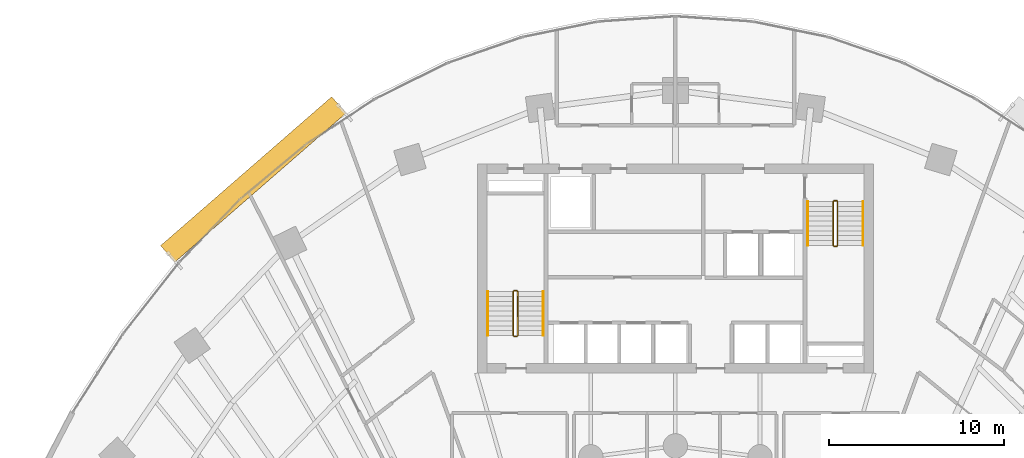
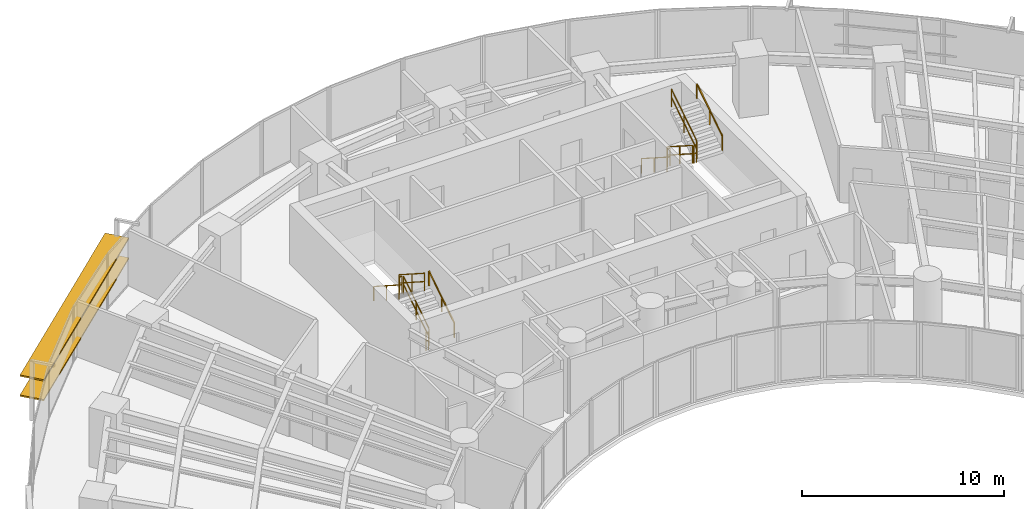
# One storey, part 16 of 17: 12 railings, 2 shading devices.
"""IFC4 building model written with IfcOpenShell, lengths in metres."""

from ifc_helpers import new_model, si_unit, direction, frame, origin, origin_2d, place, context, subcontext, project, spatial, rectangle, extrude, source, transform, mapped, material, material_profile, profile_set, type_object, type_shapes, element, save


model = new_model("IFC4")

# Units and contexts
model_context = context("Model", 3, precision=1e-05, world=origin(), true_north=direction((0.0, 1.0)))
body_context = subcontext(model_context, "Body", "Model", "MODEL_VIEW")
ifc_project = project(units=[si_unit("LENGTHUNIT", "METRE"), si_unit("AREAUNIT", "SQUARE_METRE"), si_unit("VOLUMEUNIT", "CUBIC_METRE"), si_unit("PLANEANGLEUNIT", "RADIAN"), si_unit("MASSUNIT", "GRAM", prefix="KILO")], contexts=[model_context])

# Site, building, storey
site_placement = place(None, origin())
site = spatial("IfcSite", under=ifc_project, at=site_placement, CompositionType="ELEMENT")
building_placement = place(site_placement, origin())
building = spatial("IfcBuilding", under=site, at=building_placement, Name="Breltana Convention Tower", CompositionType="ELEMENT")
storey_placement = place(building_placement, frame((0.0, 0.0, 64.199951171875)))
storey = spatial("IfcBuildingStorey", under=building, at=storey_placement, Name="L14", CompositionType="ELEMENT", Elevation=64.199951171875)

# Railings
ifc_material_1 = material(Name="Steel S275 Painted", Category="steel")
railing_type_1 = type_object("IfcRailingType", Name="RL-STAIR-GUARD-1100", PredefinedType="GUARDRAIL", material=ifc_material_1)
railing_1_placement = place(storey_placement, frame((38.9599609375, 62.360107421875, 0.179931640625)))
element("IfcRailing", 1, at=railing_1_placement, inside=storey, type_object=railing_type_1, Name="L14 ST-1 stair guard 1", PredefinedType="GUARDRAIL", context=body_context, shape_type="SweptSolid", body=[
    extrude(rectangle(XDim=0.048095703125, YDim=0.048095703125, at=origin_2d()), frame((0.0, 0.0, 1.076171875), z_axis=(0.0, 0.841138753965, 0.540819375188), x_axis=(-1.0, 0.0, 0.0)), (0.0, 0.0, 1.0), 2.99560546875),
    extrude(rectangle(XDim=0.048095703125, YDim=0.048095703125, at=origin_2d()), frame((0.0, 0.0, 0.572021484375), z_axis=(0.0, 0.841138753965, 0.540819375188), x_axis=(-1.0, 0.0, 0.0)), (0.0, 0.0, 1.0), 2.99560546875),
    extrude(rectangle(XDim=0.0419921875, YDim=0.0419921875, at=origin_2d()), origin(), (0.0, 0.0, 1.0), 1.052001953125),
    extrude(rectangle(XDim=0.0419921875, YDim=0.0419921875, at=origin_2d()), frame((0.0, 1.259765625, 0.81005859375)), (0.0, 0.0, 1.0), 1.052001953125),
    extrude(rectangle(XDim=0.0419921875, YDim=0.0419921875, at=origin_2d()), frame((0.0, 2.519775390625, 1.6201171875)), (0.0, 0.0, 1.0), 1.052001953125),
])
railing_2_placement = place(storey_placement, frame((38.909912109375, 64.929931640625, 1.800048828125)))
element("IfcRailing", 2, at=railing_2_placement, inside=storey, type_object=railing_type_1, Name="L14 ST-1 stair guard 2", PredefinedType="GUARDRAIL", context=body_context, shape_type="SweptSolid", body=[
    extrude(rectangle(XDim=0.048095703125, YDim=0.048095703125, at=origin_2d()), frame((0.0, 0.0, 1.076171875), z_axis=(-1.0, 0.0, 0.0), x_axis=(0.0, -1.0, 0.0)), (0.0, 0.0, 1.0), 0.14990234375),
    extrude(rectangle(XDim=0.048095703125, YDim=0.048095703125, at=origin_2d()), frame((0.0, 0.0, 0.572021484375), z_axis=(-1.0, 0.0, 0.0), x_axis=(0.0, -1.0, 0.0)), (0.0, 0.0, 1.0), 0.14990234375),
    extrude(rectangle(XDim=0.0419921875, YDim=0.0419921875, at=origin_2d()), origin(), (0.0, 0.0, 1.0), 1.052001953125),
    extrude(rectangle(XDim=0.0419921875, YDim=0.0419921875, at=origin_2d()), frame((-0.14990234375, 0.0, 0.0)), (0.0, 0.0, 1.0), 1.052001953125),
])
railing_3_placement = place(storey_placement, frame((38.7099609375, 64.8798828125, 1.97998046875)))
element("IfcRailing", 3, at=railing_3_placement, inside=storey, type_object=railing_type_1, Name="L14 ST-1 stair guard 3", PredefinedType="GUARDRAIL", context=body_context, shape_type="SweptSolid", body=[
    extrude(rectangle(XDim=0.048095703125, YDim=0.048095703125, at=origin_2d()), frame((0.0, 0.0, 1.076171875), z_axis=(0.0, -0.841138753965, 0.540819375188), x_axis=(1.0, 0.0, 0.0)), (0.0, 0.0, 1.0), 2.99560546875),
    extrude(rectangle(XDim=0.048095703125, YDim=0.048095703125, at=origin_2d()), frame((0.0, 0.0, 0.572021484375), z_axis=(0.0, -0.841138753965, 0.540819375188), x_axis=(1.0, 0.0, 0.0)), (0.0, 0.0, 1.0), 2.99560546875),
    extrude(rectangle(XDim=0.0419921875, YDim=0.0419921875, at=origin_2d()), origin(), (0.0, 0.0, 1.0), 1.052001953125),
    extrude(rectangle(XDim=0.0419921875, YDim=0.0419921875, at=origin_2d()), frame((0.0, -1.259765625, 0.81005859375)), (0.0, 0.0, 1.0), 1.052001953125),
    extrude(rectangle(XDim=0.0419921875, YDim=0.0419921875, at=origin_2d()), frame((0.0, -2.519775390625, 1.6201171875)), (0.0, 0.0, 1.0), 1.052001953125),
])
railing_4_placement = place(storey_placement, frame((38.909912109375, 62.31005859375, 0.0)))
element("IfcRailing", 4, at=railing_4_placement, inside=storey, type_object=railing_type_1, Name="L14 ST-1 stair guard 4", PredefinedType="GUARDRAIL", context=body_context, shape_type="SweptSolid", body=[
    extrude(rectangle(XDim=0.048095703125, YDim=0.048095703125, at=origin_2d()), frame((0.0, 0.0, 1.076171875), z_axis=(-1.0, 0.0, 0.0), x_axis=(0.0, -1.0, 0.0)), (0.0, 0.0, 1.0), 0.14990234375),
    extrude(rectangle(XDim=0.048095703125, YDim=0.048095703125, at=origin_2d()), frame((0.0, 0.0, 0.572021484375), z_axis=(-1.0, 0.0, 0.0), x_axis=(0.0, -1.0, 0.0)), (0.0, 0.0, 1.0), 0.14990234375),
    extrude(rectangle(XDim=0.0419921875, YDim=0.0419921875, at=origin_2d()), origin(), (0.0, 0.0, 1.0), 1.052001953125),
    extrude(rectangle(XDim=0.0419921875, YDim=0.0419921875, at=origin_2d()), frame((-0.14990234375, 0.0, 0.0)), (0.0, 0.0, 1.0), 1.052001953125),
])
railing_5_placement = place(storey_placement, frame((57.0400390625, 70.0400390625, 0.179931640625)))
element("IfcRailing", 5, at=railing_5_placement, inside=storey, type_object=railing_type_1, Name="L14 ST-2 stair guard 1", PredefinedType="GUARDRAIL", context=body_context, shape_type="SweptSolid", body=[
    extrude(rectangle(XDim=0.048095703125, YDim=0.048095703125, at=origin_2d()), frame((0.0, 0.0, 1.076171875), z_axis=(0.0, -0.841162588446, 0.540782303519), x_axis=(1.0, 0.0, 0.0)), (0.0, 0.0, 1.0), 2.995849609375),
    extrude(rectangle(XDim=0.048095703125, YDim=0.048095703125, at=origin_2d()), frame((0.0, 0.0, 0.572021484375), z_axis=(0.0, -0.841162588446, 0.540782303519), x_axis=(1.0, 0.0, 0.0)), (0.0, 0.0, 1.0), 2.995849609375),
    extrude(rectangle(XDim=0.0419921875, YDim=0.0419921875, at=origin_2d()), origin(), (0.0, 0.0, 1.0), 1.052001953125),
    extrude(rectangle(XDim=0.0419921875, YDim=0.0419921875, at=origin_2d()), frame((0.0, -1.260009765625, 0.81005859375)), (0.0, 0.0, 1.0), 1.052001953125),
    extrude(rectangle(XDim=0.0419921875, YDim=0.0419921875, at=origin_2d()), frame((0.0, -2.52001953125, 1.6201171875)), (0.0, 0.0, 1.0), 1.052001953125),
])
railing_6_placement = place(storey_placement, frame((57.090087890625, 67.469970703125, 1.800048828125)))
element("IfcRailing", 6, at=railing_6_placement, inside=storey, type_object=railing_type_1, Name="L14 ST-2 stair guard 2", PredefinedType="GUARDRAIL", context=body_context, shape_type="SweptSolid", body=[
    extrude(rectangle(XDim=0.048095703125, YDim=0.048095703125, at=origin_2d()), frame((0.0, 0.0, 1.076171875), z_axis=(1.0, 0.0, 0.0), x_axis=(0.0, 1.0, 0.0)), (0.0, 0.0, 1.0), 0.14990234375),
    extrude(rectangle(XDim=0.048095703125, YDim=0.048095703125, at=origin_2d()), frame((0.0, 0.0, 0.572021484375), z_axis=(1.0, 0.0, 0.0), x_axis=(0.0, 1.0, 0.0)), (0.0, 0.0, 1.0), 0.14990234375),
    extrude(rectangle(XDim=0.0419921875, YDim=0.0419921875, at=origin_2d()), origin(), (0.0, 0.0, 1.0), 1.052001953125),
    extrude(rectangle(XDim=0.0419921875, YDim=0.0419921875, at=origin_2d()), frame((0.14990234375, 0.0, 0.0)), (0.0, 0.0, 1.0), 1.052001953125),
])
railing_7_placement = place(storey_placement, frame((57.2900390625, 67.52001953125, 1.97998046875)))
element("IfcRailing", 7, at=railing_7_placement, inside=storey, type_object=railing_type_1, Name="L14 ST-2 stair guard 3", PredefinedType="GUARDRAIL", context=body_context, shape_type="SweptSolid", body=[
    extrude(rectangle(XDim=0.048095703125, YDim=0.048095703125, at=origin_2d()), frame((0.0, 0.0, 1.076171875), z_axis=(0.0, 0.841162588446, 0.540782303519), x_axis=(-1.0, 0.0, 0.0)), (0.0, 0.0, 1.0), 2.995849609375),
    extrude(rectangle(XDim=0.048095703125, YDim=0.048095703125, at=origin_2d()), frame((0.0, 0.0, 0.572021484375), z_axis=(0.0, 0.841162588446, 0.540782303519), x_axis=(-1.0, 0.0, 0.0)), (0.0, 0.0, 1.0), 2.995849609375),
    extrude(rectangle(XDim=0.0419921875, YDim=0.0419921875, at=origin_2d()), origin(), (0.0, 0.0, 1.0), 1.052001953125),
    extrude(rectangle(XDim=0.0419921875, YDim=0.0419921875, at=origin_2d()), frame((0.0, 1.260009765625, 0.81005859375)), (0.0, 0.0, 1.0), 1.052001953125),
    extrude(rectangle(XDim=0.0419921875, YDim=0.0419921875, at=origin_2d()), frame((0.0, 2.52001953125, 1.6201171875)), (0.0, 0.0, 1.0), 1.052001953125),
])
railing_8_placement = place(storey_placement, frame((57.090087890625, 70.090087890625, 0.0)))
element("IfcRailing", 8, at=railing_8_placement, inside=storey, type_object=railing_type_1, Name="L14 ST-2 stair guard 4", PredefinedType="GUARDRAIL", context=body_context, shape_type="SweptSolid", body=[
    extrude(rectangle(XDim=0.048095703125, YDim=0.048095703125, at=origin_2d()), frame((0.0, 0.0, 1.076171875), z_axis=(1.0, 0.0, 0.0), x_axis=(0.0, 1.0, 0.0)), (0.0, 0.0, 1.0), 0.14990234375),
    extrude(rectangle(XDim=0.048095703125, YDim=0.048095703125, at=origin_2d()), frame((0.0, 0.0, 0.572021484375), z_axis=(1.0, 0.0, 0.0), x_axis=(0.0, 1.0, 0.0)), (0.0, 0.0, 1.0), 0.14990234375),
    extrude(rectangle(XDim=0.0419921875, YDim=0.0419921875, at=origin_2d()), origin(), (0.0, 0.0, 1.0), 1.052001953125),
    extrude(rectangle(XDim=0.0419921875, YDim=0.0419921875, at=origin_2d()), frame((0.14990234375, 0.0, 0.0)), (0.0, 0.0, 1.0), 1.052001953125),
])
ifc_material_2 = material(Name="Stainless Steel 316L", Category="steel")
railing_type_2 = type_object("IfcRailingType", Name="RL-STAIR-HANDRAIL-900", PredefinedType="HANDRAIL", material=ifc_material_2)
railing_9_placement = place(storey_placement, frame((40.419921875, 62.360107421875, 0.179931640625)))
element("IfcRailing", 9, at=railing_9_placement, inside=storey, type_object=railing_type_2, Name="L14 ST-1 stair handrail 1", PredefinedType="HANDRAIL", context=body_context, shape_type="SweptSolid", body=[
    extrude(rectangle(XDim=0.048095703125, YDim=0.048095703125, at=origin_2d()), frame((0.0, 0.0, 0.8759765625), z_axis=(0.0, 0.841138753965, 0.540819375188), x_axis=(-1.0, 0.0, 0.0)), (0.0, 0.0, 1.0), 2.99560546875),
    extrude(rectangle(XDim=0.0419921875, YDim=0.0419921875, at=origin_2d()), origin(), (0.0, 0.0, 1.0), 0.851806640625),
    extrude(rectangle(XDim=0.0419921875, YDim=0.0419921875, at=origin_2d()), frame((0.0, 1.259765625, 0.81005859375)), (0.0, 0.0, 1.0), 0.851806640625),
    extrude(rectangle(XDim=0.0419921875, YDim=0.0419921875, at=origin_2d()), frame((0.0, 2.519775390625, 1.6201171875)), (0.0, 0.0, 1.0), 0.851806640625),
])
railing_10_placement = place(storey_placement, frame((37.25, 64.8798828125, 1.97998046875)))
element("IfcRailing", 10, at=railing_10_placement, inside=storey, type_object=railing_type_2, Name="L14 ST-1 stair handrail 2", PredefinedType="HANDRAIL", context=body_context, shape_type="SweptSolid", body=[
    extrude(rectangle(XDim=0.048095703125, YDim=0.048095703125, at=origin_2d()), frame((0.0, 0.0, 0.8759765625), z_axis=(0.0, -0.841138753965, 0.540819375188), x_axis=(1.0, 0.0, 0.0)), (0.0, 0.0, 1.0), 2.99560546875),
    extrude(rectangle(XDim=0.0419921875, YDim=0.0419921875, at=origin_2d()), origin(), (0.0, 0.0, 1.0), 0.851806640625),
    extrude(rectangle(XDim=0.0419921875, YDim=0.0419921875, at=origin_2d()), frame((0.0, -1.259765625, 0.81005859375)), (0.0, 0.0, 1.0), 0.851806640625),
    extrude(rectangle(XDim=0.0419921875, YDim=0.0419921875, at=origin_2d()), frame((0.0, -2.519775390625, 1.6201171875)), (0.0, 0.0, 1.0), 0.851806640625),
])
railing_11_placement = place(storey_placement, frame((55.580078125, 70.0400390625, 0.179931640625)))
element("IfcRailing", 11, at=railing_11_placement, inside=storey, type_object=railing_type_2, Name="L14 ST-2 stair handrail 1", PredefinedType="HANDRAIL", context=body_context, shape_type="SweptSolid", body=[
    extrude(rectangle(XDim=0.048095703125, YDim=0.048095703125, at=origin_2d()), frame((0.0, 0.0, 0.8759765625), z_axis=(0.0, -0.841162588446, 0.540782303519), x_axis=(1.0, 0.0, 0.0)), (0.0, 0.0, 1.0), 2.995849609375),
    extrude(rectangle(XDim=0.0419921875, YDim=0.0419921875, at=origin_2d()), origin(), (0.0, 0.0, 1.0), 0.851806640625),
    extrude(rectangle(XDim=0.0419921875, YDim=0.0419921875, at=origin_2d()), frame((0.0, -1.260009765625, 0.81005859375)), (0.0, 0.0, 1.0), 0.851806640625),
    extrude(rectangle(XDim=0.0419921875, YDim=0.0419921875, at=origin_2d()), frame((0.0, -2.52001953125, 1.6201171875)), (0.0, 0.0, 1.0), 0.851806640625),
])
railing_12_placement = place(storey_placement, frame((58.75, 67.52001953125, 1.97998046875)))
element("IfcRailing", 12, at=railing_12_placement, inside=storey, type_object=railing_type_2, Name="L14 ST-2 stair handrail 2", PredefinedType="HANDRAIL", context=body_context, shape_type="SweptSolid", body=[
    extrude(rectangle(XDim=0.048095703125, YDim=0.048095703125, at=origin_2d()), frame((0.0, 0.0, 0.8759765625), z_axis=(0.0, 0.841162588446, 0.540782303519), x_axis=(-1.0, 0.0, 0.0)), (0.0, 0.0, 1.0), 2.995849609375),
    extrude(rectangle(XDim=0.0419921875, YDim=0.0419921875, at=origin_2d()), origin(), (0.0, 0.0, 1.0), 0.851806640625),
    extrude(rectangle(XDim=0.0419921875, YDim=0.0419921875, at=origin_2d()), frame((0.0, 1.260009765625, 0.81005859375)), (0.0, 0.0, 1.0), 0.851806640625),
    extrude(rectangle(XDim=0.0419921875, YDim=0.0419921875, at=origin_2d()), frame((0.0, 2.52001953125, 1.6201171875)), (0.0, 0.0, 1.0), 0.851806640625),
])

# Shading devices
ifc_material_3 = material(Name="Limestone Warm Buff Honed", Category="masonry")
ifc_material_profile = material_profile(ifc_material_3, rectangle(XDim=1.25, YDim=0.090087890625, at=origin_2d()), Name="STN-LVR-1250X90")
ifc_profile_set = profile_set([ifc_material_profile], Name="Limestone Warm Buff Honed")
shading_device_type = type_object("IfcShadingDeviceType", Name="SHD-OUTER-SKIN-LIMESTONE-1250", PredefinedType="JALOUSIE", material=ifc_profile_set)
shared_shape = source(origin(), body_context, "Body", "SweptSolid", [
    extrude(rectangle(XDim=1.25, YDim=0.090087890625, at=origin_2d()), origin(), (0.0, 0.0, 1.0), 12.99462890625),
])
type_shapes(shading_device_type, [shared_shape])
for number, where, z_axis, x_axis, name in (
    (13, (18.9130859375, 67.039794921875, 1.209716796875), (0.754353477941, 0.656468453407, 0.0), (-0.656468453407, 0.754353477941, 0.0), "L14 outer skin warm limestone louvre 1.1"),
    (14, (18.9130859375, 67.039794921875, 2.419189453125), (0.754353477941, 0.656468453407, 0.0), (-0.656468453407, 0.754353477941, 0.0), "L14 outer skin warm limestone louvre 1.2"),
):
    element("IfcShadingDevice", number, at=place(storey_placement, frame(where, z_axis=z_axis, x_axis=x_axis)), inside=storey, type_object=shading_device_type, Name=name, PredefinedType="JALOUSIE", context=body_context, shape_type="MappedRepresentation", body=[
        mapped(shared_shape, transform((0.0, 0.0, 0.0), scale=1.0)),
    ])

save(model, "model.ifc")
